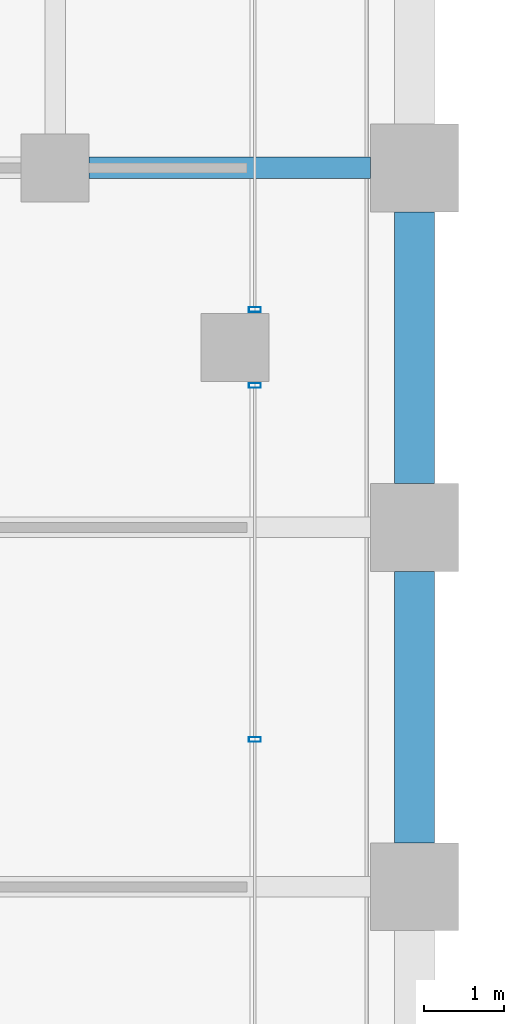
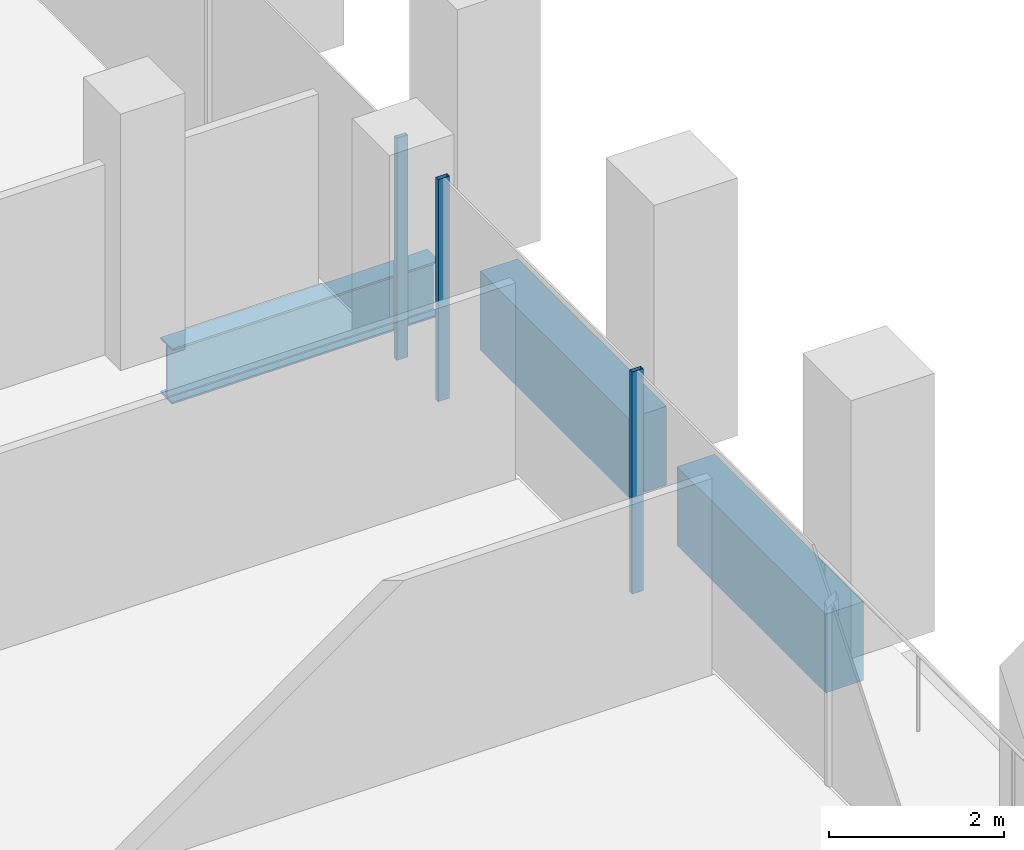
# One storey, part 22 of 56: 3 beams, 3 members, 2 elements without a shape of their own.
"""IFC4 building model written with IfcOpenShell, lengths in metres."""

from ifc_helpers import new_model, si_unit, direction, frame, origin, origin_2d, place, context, subcontext, project, spatial, rectangle, hollow_rectangle, i_section, extrude, material, material_profile, profile_set, type_object, element, aggregate, save


model = new_model("IFC4")

# Units and contexts
model_context = context("Model", 3, precision=1e-05, world=origin(), true_north=direction((0.0, 1.0)))
body_context = subcontext(model_context, "Body", "Model", "MODEL_VIEW")
ifc_project = project(units=[si_unit("LENGTHUNIT", "METRE"), si_unit("AREAUNIT", "SQUARE_METRE"), si_unit("VOLUMEUNIT", "CUBIC_METRE"), si_unit("PLANEANGLEUNIT", "RADIAN"), si_unit("MASSUNIT", "GRAM", prefix="KILO")], contexts=[model_context])

# Site, building, storey
site_placement = place(None, origin())
site = spatial("IfcSite", under=ifc_project, at=site_placement, CompositionType="ELEMENT")
building_placement = place(site_placement, origin())
building = spatial("IfcBuilding", under=site, at=building_placement, Name="Altepetl Exchange Towers", CompositionType="ELEMENT")
storey_placement = place(building_placement, frame((0.0, 0.0, 76.199951171875)))
storey = spatial("IfcBuildingStorey", under=building, at=storey_placement, Name="L18", CompositionType="ELEMENT", Elevation=76.199951171875)

# Beam
ifc_material_1 = material(Name="Steel S355", Category="steel")
ifc_material_profile_1 = material_profile(ifc_material_1, i_section(OverallWidth=0.26806640625, OverallDepth=0.77392578125, WebThickness=0.015380859375, FlangeThickness=0.025390625, at=origin_2d()), Name="W30X132")
ifc_profile_set_1 = profile_set([ifc_material_profile_1], Name="Steel S355")
beam_type_1 = type_object("IfcBeamType", Name="Girder W30X132", PredefinedType="BEAM", material=ifc_profile_set_1)
beam_placement = place(storey_placement, frame((67.925048828125, 58.5, -0.536865234375), z_axis=(1.0, 0.0, 0.0), x_axis=(0.0, 1.0, 0.0)))
element("IfcBeam", 1, at=beam_placement, inside=storey, type_object=beam_type_1, Name="gd:A:L18:002", PredefinedType="BEAM", context=body_context, shape_type="SweptSolid", body=[
    extrude(i_section(OverallWidth=0.26806640625, OverallDepth=0.77392578125, WebThickness=0.015380859375, FlangeThickness=0.025390625, at=origin_2d()), origin(), (0.0, 0.0, 1.0), 3.52490234375),
])

# Curtain wall, members
ifc_material_2 = material(Name="Aluminium 6063-T6 glazing", Category="aluminium")
curtain_wall_type = type_object("IfcCurtainWallType", Name="Loggia glazing system", PredefinedType="NOTDEFINED", material=ifc_material_2)
curtain_wall_1_placement = place(storey_placement, origin())
curtain_wall_1 = element("IfcCurtainWall", 2, at=curtain_wall_1_placement, inside=storey, type_object=curtain_wall_type, Name="CW1 run", PredefinedType="NOTDEFINED")
ifc_material_3 = material(Name="Aluminium 6063-T6", Category="aluminium")
ifc_material_profile_2 = material_profile(ifc_material_3, hollow_rectangle(XDim=0.06005859375, YDim=0.14990234375, WallThickness=0.0029296875, at=origin_2d()), Name="Mullion 60x150 aluminium")
ifc_profile_set_2 = profile_set([ifc_material_profile_2], Name="Aluminium 6063-T6")
member_type = type_object("IfcMemberType", Name="Mullion 60x150 aluminium", PredefinedType="MULLION", material=ifc_profile_set_2)
member_1_placement = place(storey_placement, frame((70.0, 51.343994140625, 0.0), z_axis=(0.0, 0.0, 1.0), x_axis=(0.0, 1.0, 0.0)))
member_1 = element("IfcMember", 3, at=member_1_placement, type_object=member_type, Name="MU1 mullion", PredefinedType="MULLION", context=body_context, shape_type="SweptSolid", body=[
    extrude(hollow_rectangle(XDim=0.06005859375, YDim=0.14990234375, WallThickness=0.0029296875, at=origin_2d()), origin(), (0.0, 0.0, 1.0), 3.10009765625),
])
member_2_placement = place(storey_placement, frame((70.0, 55.77490234375, 0.0), z_axis=(0.0, 0.0, 1.0), x_axis=(0.0, 1.0, 0.0)))
member_2 = element("IfcMember", 4, at=member_2_placement, type_object=member_type, Name="MU1 mullion", PredefinedType="MULLION", context=body_context, shape_type="SweptSolid", body=[
    extrude(hollow_rectangle(XDim=0.06005859375, YDim=0.14990234375, WallThickness=0.0029296875, at=origin_2d()), origin(), (0.0, 0.0, 1.0), 3.10009765625),
])
aggregate(curtain_wall_1, [member_1, member_2])

# Curtain wall, member
curtain_wall_2_placement = place(storey_placement, origin())
curtain_wall_2 = element("IfcCurtainWall", 5, at=curtain_wall_2_placement, inside=storey, type_object=curtain_wall_type, Name="CW1 run", PredefinedType="NOTDEFINED")
member_3_placement = place(storey_placement, frame((70.0, 56.72509765625, 0.0), z_axis=(0.0, 0.0, 1.0), x_axis=(0.0, 1.0, 0.0)))
member_3 = element("IfcMember", 6, at=member_3_placement, type_object=member_type, Name="MU1 mullion", PredefinedType="MULLION", context=body_context, shape_type="SweptSolid", body=[
    extrude(hollow_rectangle(XDim=0.06005859375, YDim=0.14990234375, WallThickness=0.0029296875, at=origin_2d()), origin(), (0.0, 0.0, 1.0), 3.10009765625),
])
aggregate(curtain_wall_2, [member_3])

# Beams
ifc_material_4 = material(Name="Concrete C50/60 precast with cantera amarilla facing", Category="concrete")
ifc_material_profile_3 = material_profile(ifc_material_4, rectangle(XDim=0.5, YDim=1.10009765625, at=origin_2d()), Name="500 x 1100")
ifc_profile_set_3 = profile_set([ifc_material_profile_3], Name="Concrete C50/60 precast with cantera amarilla facing")
beam_type_2 = type_object("IfcBeamType", Name="Spandrel beam 500x1100 cantera amarilla", PredefinedType="SPANDREL", material=ifc_profile_set_3)
for number, where, z_axis, x_axis, name in (
    (7, (72.0, 50.050048828125, -0.699951171875), (0.0, 1.0, 0.0), (-1.0, 0.0, 0.0), "sp:A:L18:016"),
    (8, (72.0, 54.550048828125, -0.699951171875), (0.0, 1.0, 0.0), (-1.0, 0.0, 0.0), "sp:A:L18:017"),
):
    element("IfcBeam", number, at=place(storey_placement, frame(where, z_axis=z_axis, x_axis=x_axis)), inside=storey, type_object=beam_type_2, Name=name, PredefinedType="SPANDREL", context=body_context, shape_type="SweptSolid", body=[
        extrude(rectangle(XDim=0.5, YDim=1.10009765625, at=origin_2d()), origin(), (0.0, 0.0, 1.0), 3.39990234375),
    ])

save(model, "model.ifc")
